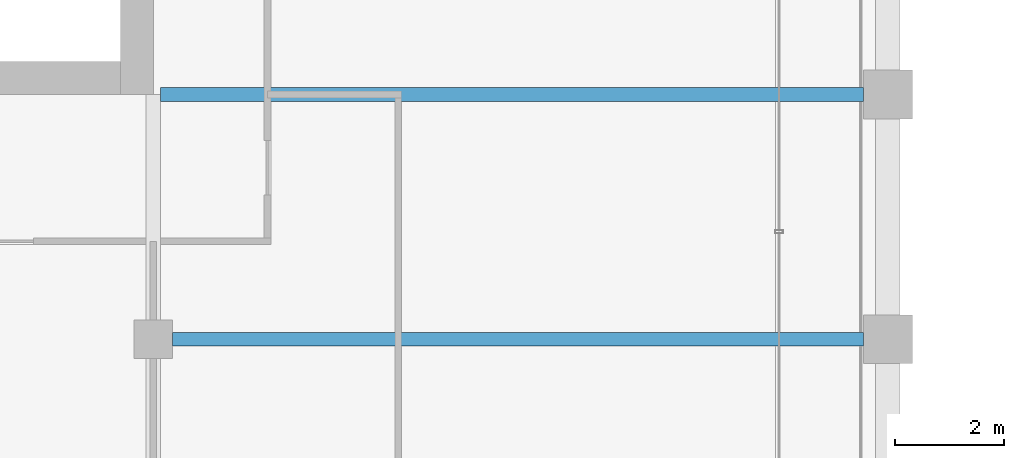
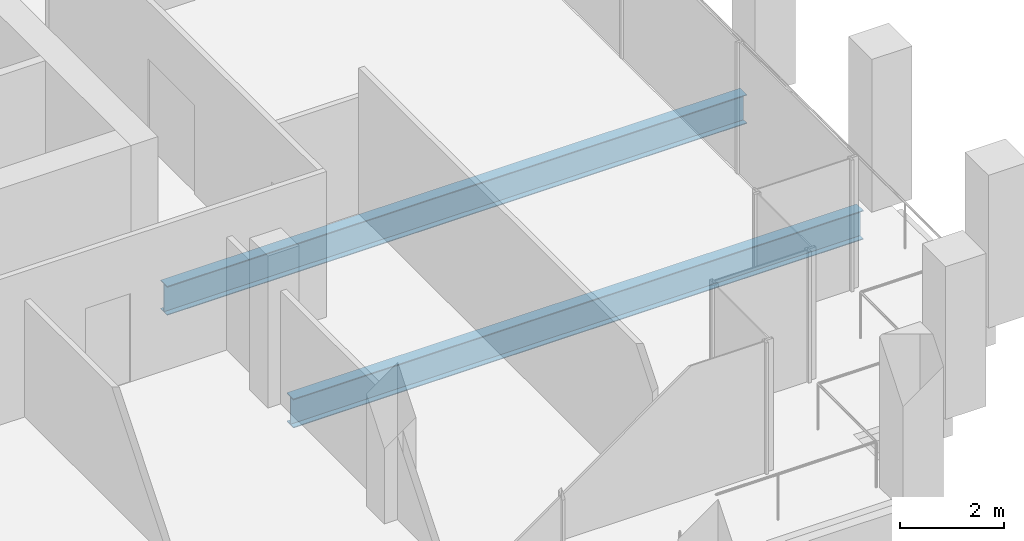
# One storey, part 14 of 40: 2 beams.
"""IFC4 building model written with IfcOpenShell, lengths in metres."""

from ifc_helpers import new_model, si_unit, direction, frame, origin, origin_2d, place, context, subcontext, project, spatial, i_section, extrude, material, material_profile, profile_set, type_object, element, save


model = new_model("IFC4")

# Units and contexts
model_context = context("Model", 3, precision=1e-05, world=origin(), true_north=direction((0.0, 1.0)))
body_context = subcontext(model_context, "Body", "Model", "MODEL_VIEW")
ifc_project = project(units=[si_unit("LENGTHUNIT", "METRE"), si_unit("AREAUNIT", "SQUARE_METRE"), si_unit("VOLUMEUNIT", "CUBIC_METRE"), si_unit("PLANEANGLEUNIT", "RADIAN"), si_unit("MASSUNIT", "GRAM", prefix="KILO")], contexts=[model_context])

# Site, building, storey
site_placement = place(None, origin())
site = spatial("IfcSite", under=ifc_project, at=site_placement, CompositionType="ELEMENT")
building_placement = place(site_placement, origin())
building = spatial("IfcBuilding", under=site, at=building_placement, Name="Altepetl Exchange Towers", CompositionType="ELEMENT")
storey_placement = place(building_placement, frame((0.0, 0.0, 165.39990234375)))
storey = spatial("IfcBuildingStorey", under=building, at=storey_placement, Name="L41", CompositionType="ELEMENT", Elevation=165.39990234375)

# Beams
ifc_material = material(Name="Steel S355", Category="steel")
ifc_material_profile = material_profile(ifc_material, i_section(OverallWidth=0.25390625, OverallDepth=0.68408203125, WebThickness=0.012451171875, FlangeThickness=0.018798828125, at=origin_2d()), Name="W27X94")
ifc_profile_set = profile_set([ifc_material_profile], Name="Steel S355")
beam_type = type_object("IfcBeamType", Name="Floor beam W27X94", PredefinedType="BEAM", material=ifc_profile_set)
beam_1_placement = place(storey_placement, frame((58.85009765625, 36.0, -0.491943359375), z_axis=(1.0, 0.0, 0.0), x_axis=(0.0, 1.0, 0.0)))
element("IfcBeam", 1, at=beam_1_placement, inside=storey, type_object=beam_type, Name="bm:A:L41:007", PredefinedType="BEAM", context=body_context, shape_type="SweptSolid", body=[
    extrude(i_section(OverallWidth=0.25390625, OverallDepth=0.68408203125, WebThickness=0.012451171875, FlangeThickness=0.018798828125, at=origin_2d()), origin(), (0.0, 0.0, 1.0), 12.699951171875),
])
beam_2_placement = place(storey_placement, frame((58.634033203125, 40.5, -0.491943359375), z_axis=(1.0, 0.0, 0.0), x_axis=(0.0, 1.0, 0.0)))
element("IfcBeam", 2, at=beam_2_placement, inside=storey, type_object=beam_type, Name="bm:A:L41:008", PredefinedType="BEAM", context=body_context, shape_type="SweptSolid", body=[
    extrude(i_section(OverallWidth=0.25390625, OverallDepth=0.68408203125, WebThickness=0.012451171875, FlangeThickness=0.018798828125, at=origin_2d()), origin(), (0.0, 0.0, 1.0), 12.916015625),
])

save(model, "model.ifc")
